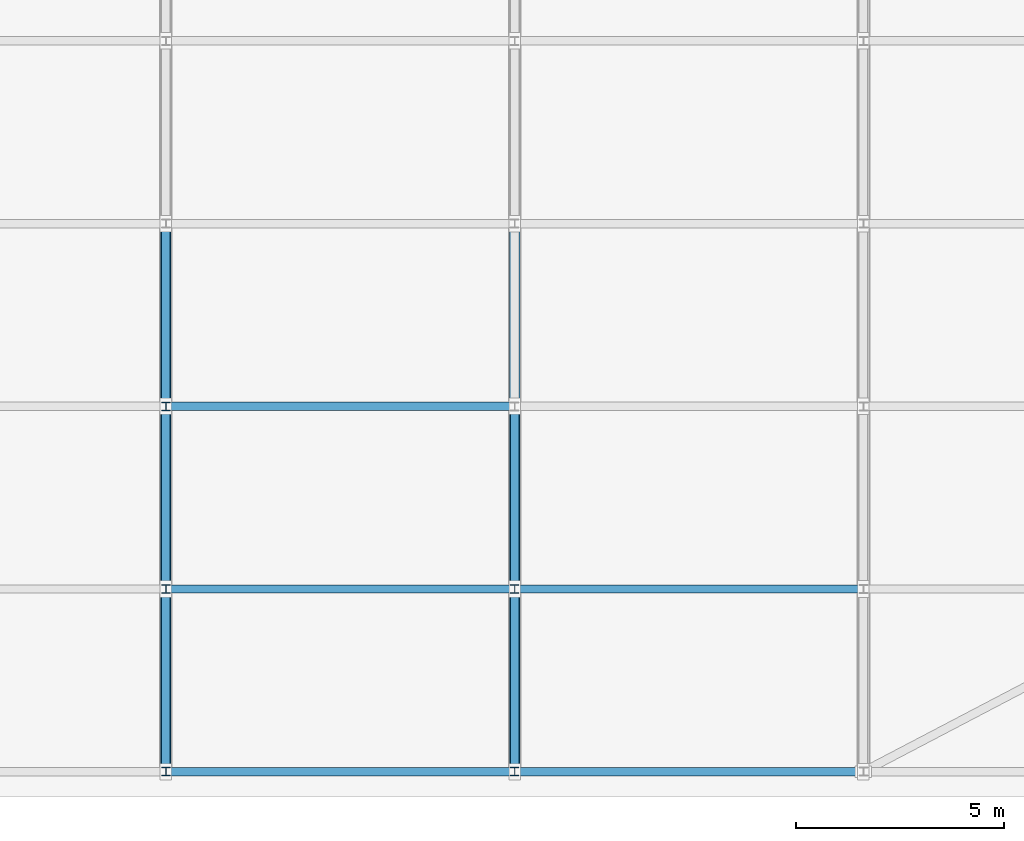
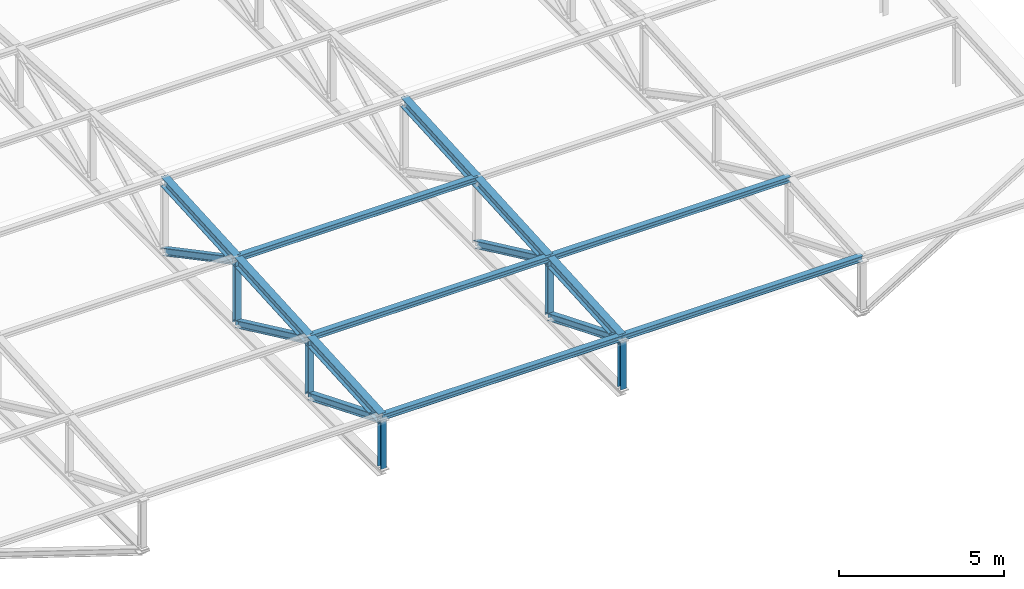
# One storey, part 12 of 49: 17 members.
"""IFC4 building model written with IfcOpenShell, lengths in metres."""

from ifc_helpers import new_model, si_unit, direction, frame, origin, origin_2d, place, context, subcontext, project, spatial, i_section, extrude, material, material_profile, profile_set, type_object, element, save


model = new_model("IFC4")

# Units and contexts
model_context = context("Model", 3, precision=1e-05, world=origin(), true_north=direction((0.0, 1.0)))
body_context = subcontext(model_context, "Body", "Model", "MODEL_VIEW")
ifc_project = project(units=[si_unit("LENGTHUNIT", "METRE"), si_unit("AREAUNIT", "SQUARE_METRE"), si_unit("VOLUMEUNIT", "CUBIC_METRE"), si_unit("PLANEANGLEUNIT", "RADIAN"), si_unit("MASSUNIT", "GRAM", prefix="KILO")], contexts=[model_context])

# Site, building, storey
site_placement = place(None, origin())
site = spatial("IfcSite", under=ifc_project, at=site_placement, CompositionType="ELEMENT")
building_placement = place(site_placement, origin())
building = spatial("IfcBuilding", under=site, at=building_placement, Name="Kemercrest Conservatory and Botanical Centre", CompositionType="ELEMENT")
storey_placement = place(building_placement, frame((0.0, 0.0, 13.199951171875)))
storey = spatial("IfcBuildingStorey", under=building, at=storey_placement, Name="L03", CompositionType="ELEMENT", Elevation=13.199951171875)

# Members
ifc_material = material(Name="Steel CSA G40.21 350W", Category="steel")
ifc_material_profile_1 = material_profile(ifc_material, i_section(OverallWidth=0.202880859375, OverallDepth=0.202880859375, WebThickness=0.007080078125, FlangeThickness=0.010986328125, FilletRadius=0.010009765625, at=origin_2d()), Name="W200X46")
ifc_profile_set_1 = profile_set([ifc_material_profile_1], Name="Steel CSA G40.21 350W")
member_type_1 = type_object("IfcMemberType", Name="PR-W200", PredefinedType="PURLIN", material=ifc_profile_set_1)
member_1_placement = place(storey_placement, frame((75.199951171875, 16.800048828125, 1.880126953125), z_axis=(1.0, 0.0, 0.0), x_axis=(0.0, 1.0, 0.0)))
element("IfcMember", 1, at=member_1_placement, inside=storey, type_object=member_type_1, Name="Auditorium roof purlin P0", PredefinedType="PURLIN", context=body_context, shape_type="SweptSolid", body=[
    extrude(i_section(OverallWidth=0.202880859375, OverallDepth=0.202880859375, WebThickness=0.007080078125, FlangeThickness=0.010986328125, FilletRadius=0.010009765625, at=origin_2d()), origin(), (0.0, 0.0, 1.0), 8.400146484375),
])
member_2_placement = place(storey_placement, frame((83.60009765625, 16.800048828125, 1.880126953125), z_axis=(1.0, 0.0, 0.0), x_axis=(0.0, 1.0, 0.0)))
element("IfcMember", 2, at=member_2_placement, inside=storey, type_object=member_type_1, Name="Auditorium roof purlin P0", PredefinedType="PURLIN", context=body_context, shape_type="SweptSolid", body=[
    extrude(i_section(OverallWidth=0.202880859375, OverallDepth=0.202880859375, WebThickness=0.007080078125, FlangeThickness=0.010986328125, FilletRadius=0.010009765625, at=origin_2d()), origin(), (0.0, 0.0, 1.0), 8.39990234375),
])
member_3_placement = place(storey_placement, frame((75.199951171875, 21.199951171875, 2.146728515625), z_axis=(1.0, 0.0, 0.0), x_axis=(0.0, 1.0, 0.0)))
element("IfcMember", 3, at=member_3_placement, inside=storey, type_object=member_type_1, Name="Auditorium roof purlin P1", PredefinedType="PURLIN", context=body_context, shape_type="SweptSolid", body=[
    extrude(i_section(OverallWidth=0.202880859375, OverallDepth=0.202880859375, WebThickness=0.007080078125, FlangeThickness=0.010986328125, FilletRadius=0.010009765625, at=origin_2d()), origin(), (0.0, 0.0, 1.0), 8.400146484375),
])
member_4_placement = place(storey_placement, frame((83.60009765625, 21.199951171875, 2.146728515625), z_axis=(1.0, 0.0, 0.0), x_axis=(0.0, 1.0, 0.0)))
element("IfcMember", 4, at=member_4_placement, inside=storey, type_object=member_type_1, Name="Auditorium roof purlin P1", PredefinedType="PURLIN", context=body_context, shape_type="SweptSolid", body=[
    extrude(i_section(OverallWidth=0.202880859375, OverallDepth=0.202880859375, WebThickness=0.007080078125, FlangeThickness=0.010986328125, FilletRadius=0.010009765625, at=origin_2d()), origin(), (0.0, 0.0, 1.0), 8.39990234375),
])
member_5_placement = place(storey_placement, frame((75.199951171875, 25.60009765625, 2.413330078125), z_axis=(1.0, 0.0, 0.0), x_axis=(0.0, 1.0, 0.0)))
element("IfcMember", 5, at=member_5_placement, inside=storey, type_object=member_type_1, Name="Auditorium roof purlin P2", PredefinedType="PURLIN", context=body_context, shape_type="SweptSolid", body=[
    extrude(i_section(OverallWidth=0.202880859375, OverallDepth=0.202880859375, WebThickness=0.007080078125, FlangeThickness=0.010986328125, FilletRadius=0.010009765625, at=origin_2d()), origin(), (0.0, 0.0, 1.0), 8.400146484375),
])
ifc_material_profile_2 = material_profile(ifc_material, i_section(OverallWidth=0.257080078125, OverallDepth=0.363037109375, WebThickness=0.012939453125, FlangeThickness=0.021728515625, FilletRadius=0.01611328125, at=origin_2d()), Name="W360X122")
ifc_profile_set_2 = profile_set([ifc_material_profile_2], Name="Steel CSA G40.21 350W")
member_type_2 = type_object("IfcMemberType", Name="TR-TC360", PredefinedType="CHORD", material=ifc_profile_set_2)
for number, where, z_axis, x_axis, name in (
    (6, (75.199951171875, 16.800048828125, 1.800048828125), (0.0, 0.998168260152, 0.060498962186), (-1.0, 0.0, 0.0), "Auditorium Roof Truss South Top Chord 09"),
    (7, (83.60009765625, 16.800048828125, 1.800048828125), (0.0, 0.998168260152, 0.060498962186), (-1.0, 0.0, 0.0), "Auditorium Roof Truss South Top Chord 10"),
):
    element("IfcMember", number, at=place(storey_placement, frame(where, z_axis=z_axis, x_axis=x_axis)), inside=storey, type_object=member_type_2, Name=name, PredefinedType="CHORD", context=body_context, shape_type="SweptSolid", body=[
        extrude(i_section(OverallWidth=0.257080078125, OverallDepth=0.363037109375, WebThickness=0.012939453125, FlangeThickness=0.021728515625, FilletRadius=0.01611328125, at=origin_2d()), origin(), (0.0, 0.0, 1.0), 13.22412109375),
    ])
ifc_material_profile_3 = material_profile(ifc_material, i_section(OverallWidth=0.202880859375, OverallDepth=0.202880859375, WebThickness=0.007080078125, FlangeThickness=0.010986328125, FilletRadius=0.010009765625, at=origin_2d()), Name="W200X46")
ifc_profile_set_3 = profile_set([ifc_material_profile_3], Name="Steel CSA G40.21 350W")
member_type_3 = type_object("IfcMemberType", Name="TR-VRT200", PredefinedType="BRACE", material=ifc_profile_set_3)
member_6_placement = place(storey_placement, frame((75.199951171875, 16.800048828125, -0.014892578125), z_axis=(0.0, 0.0, 1.0), x_axis=(1.0, 0.0, 0.0)))
element("IfcMember", 8, at=member_6_placement, inside=storey, type_object=member_type_3, Name="Auditorium Roof Truss Vertical Strut 09-V0", PredefinedType="BRACE", context=body_context, shape_type="SweptSolid", body=[
    extrude(i_section(OverallWidth=0.202880859375, OverallDepth=0.202880859375, WebThickness=0.007080078125, FlangeThickness=0.010986328125, FilletRadius=0.010009765625, at=origin_2d()), origin(), (0.0, 0.0, 1.0), 1.81494140625),
])
member_7_placement = place(storey_placement, frame((75.199951171875, 21.199951171875, -0.014892578125), z_axis=(0.0, 0.0, 1.0), x_axis=(1.0, 0.0, 0.0)))
element("IfcMember", 9, at=member_7_placement, inside=storey, type_object=member_type_3, Name="Auditorium Roof Truss Vertical Strut 09-V1", PredefinedType="BRACE", context=body_context, shape_type="SweptSolid", body=[
    extrude(i_section(OverallWidth=0.202880859375, OverallDepth=0.202880859375, WebThickness=0.007080078125, FlangeThickness=0.010986328125, FilletRadius=0.010009765625, at=origin_2d()), origin(), (0.0, 0.0, 1.0), 2.08154296875),
])
member_8_placement = place(storey_placement, frame((75.199951171875, 25.60009765625, -0.014892578125), z_axis=(0.0, 0.0, 1.0), x_axis=(1.0, 0.0, 0.0)))
element("IfcMember", 10, at=member_8_placement, inside=storey, type_object=member_type_3, Name="Auditorium Roof Truss Vertical Strut 09-V2", PredefinedType="BRACE", context=body_context, shape_type="SweptSolid", body=[
    extrude(i_section(OverallWidth=0.202880859375, OverallDepth=0.202880859375, WebThickness=0.007080078125, FlangeThickness=0.010986328125, FilletRadius=0.010009765625, at=origin_2d()), origin(), (0.0, 0.0, 1.0), 2.34814453125),
])
member_9_placement = place(storey_placement, frame((83.60009765625, 16.800048828125, -0.014892578125), z_axis=(0.0, 0.0, 1.0), x_axis=(1.0, 0.0, 0.0)))
element("IfcMember", 11, at=member_9_placement, inside=storey, type_object=member_type_3, Name="Auditorium Roof Truss Vertical Strut 10-V0", PredefinedType="BRACE", context=body_context, shape_type="SweptSolid", body=[
    extrude(i_section(OverallWidth=0.202880859375, OverallDepth=0.202880859375, WebThickness=0.007080078125, FlangeThickness=0.010986328125, FilletRadius=0.010009765625, at=origin_2d()), origin(), (0.0, 0.0, 1.0), 1.81494140625),
])
member_10_placement = place(storey_placement, frame((83.60009765625, 21.199951171875, -0.014892578125), z_axis=(0.0, 0.0, 1.0), x_axis=(1.0, 0.0, 0.0)))
element("IfcMember", 12, at=member_10_placement, inside=storey, type_object=member_type_3, Name="Auditorium Roof Truss Vertical Strut 10-V1", PredefinedType="BRACE", context=body_context, shape_type="SweptSolid", body=[
    extrude(i_section(OverallWidth=0.202880859375, OverallDepth=0.202880859375, WebThickness=0.007080078125, FlangeThickness=0.010986328125, FilletRadius=0.010009765625, at=origin_2d()), origin(), (0.0, 0.0, 1.0), 2.08154296875),
])
ifc_material_profile_4 = material_profile(ifc_material, i_section(OverallWidth=0.202880859375, OverallDepth=0.251953125, WebThickness=0.008056640625, FlangeThickness=0.013427734375, FilletRadius=0.010986328125, at=origin_2d()), Name="W250X58")
ifc_profile_set_4 = profile_set([ifc_material_profile_4], Name="Steel CSA G40.21 350W")
member_type_4 = type_object("IfcMemberType", Name="TR-WEB250", PredefinedType="BRACE", material=ifc_profile_set_4)
member_11_placement = place(storey_placement, frame((75.199951171875, 16.800048828125, 1.780029296875), z_axis=(0.0, 0.925918062478, -0.377724425443), x_axis=(-1.0, 0.0, 0.0)))
element("IfcMember", 13, at=member_11_placement, inside=storey, type_object=member_type_4, Name="Auditorium Roof Truss Web Diagonal 09-D0", PredefinedType="BRACE", context=body_context, shape_type="SweptSolid", body=[
    extrude(i_section(OverallWidth=0.202880859375, OverallDepth=0.251953125, WebThickness=0.008056640625, FlangeThickness=0.013427734375, FilletRadius=0.010986328125, at=origin_2d()), origin(), (0.0, 0.0, 1.0), 4.751953125),
])
member_12_placement = place(storey_placement, frame((75.199951171875, 21.199951171875, 2.046630859375), z_axis=(0.0, 0.905541585504, -0.424257512512), x_axis=(-1.0, 0.0, 0.0)))
element("IfcMember", 14, at=member_12_placement, inside=storey, type_object=member_type_4, Name="Auditorium Roof Truss Web Diagonal 09-D1", PredefinedType="BRACE", context=body_context, shape_type="SweptSolid", body=[
    extrude(i_section(OverallWidth=0.202880859375, OverallDepth=0.251953125, WebThickness=0.008056640625, FlangeThickness=0.013427734375, FilletRadius=0.010986328125, at=origin_2d()), origin(), (0.0, 0.0, 1.0), 4.859130859375),
])
member_13_placement = place(storey_placement, frame((75.199951171875, 25.60009765625, 2.313232421875), z_axis=(0.0, 0.883890492112, -0.467693914814), x_axis=(-1.0, 0.0, 0.0)))
element("IfcMember", 15, at=member_13_placement, inside=storey, type_object=member_type_4, Name="Auditorium Roof Truss Web Diagonal 09-D2", PredefinedType="BRACE", context=body_context, shape_type="SweptSolid", body=[
    extrude(i_section(OverallWidth=0.202880859375, OverallDepth=0.251953125, WebThickness=0.008056640625, FlangeThickness=0.013427734375, FilletRadius=0.010986328125, at=origin_2d()), origin(), (0.0, 0.0, 1.0), 4.977783203125),
])
member_14_placement = place(storey_placement, frame((83.60009765625, 16.800048828125, 1.780029296875), z_axis=(0.0, 0.925918062478, -0.377724425443), x_axis=(-1.0, 0.0, 0.0)))
element("IfcMember", 16, at=member_14_placement, inside=storey, type_object=member_type_4, Name="Auditorium Roof Truss Web Diagonal 10-D0", PredefinedType="BRACE", context=body_context, shape_type="SweptSolid", body=[
    extrude(i_section(OverallWidth=0.202880859375, OverallDepth=0.251953125, WebThickness=0.008056640625, FlangeThickness=0.013427734375, FilletRadius=0.010986328125, at=origin_2d()), origin(), (0.0, 0.0, 1.0), 4.751953125),
])
member_15_placement = place(storey_placement, frame((83.60009765625, 21.199951171875, 2.046630859375), z_axis=(0.0, 0.905541585504, -0.424257512512), x_axis=(-1.0, 0.0, 0.0)))
element("IfcMember", 17, at=member_15_placement, inside=storey, type_object=member_type_4, Name="Auditorium Roof Truss Web Diagonal 10-D1", PredefinedType="BRACE", context=body_context, shape_type="SweptSolid", body=[
    extrude(i_section(OverallWidth=0.202880859375, OverallDepth=0.251953125, WebThickness=0.008056640625, FlangeThickness=0.013427734375, FilletRadius=0.010986328125, at=origin_2d()), origin(), (0.0, 0.0, 1.0), 4.859130859375),
])

save(model, "model.ifc")
